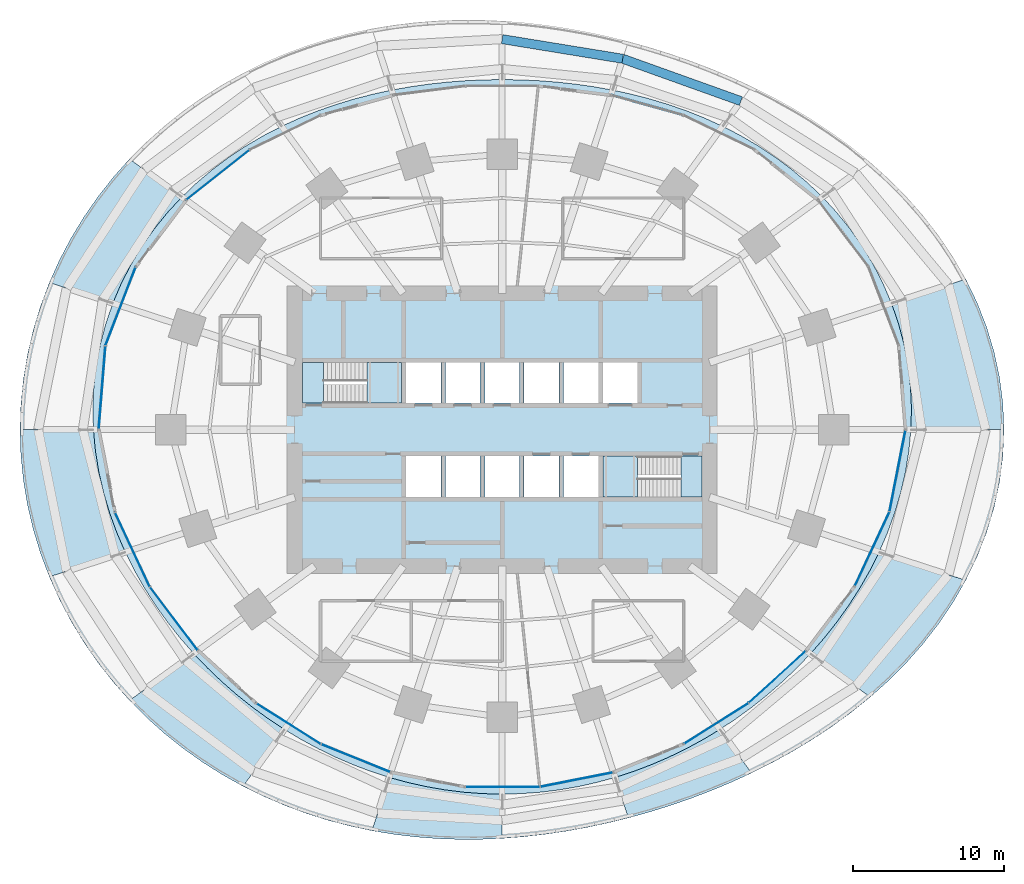
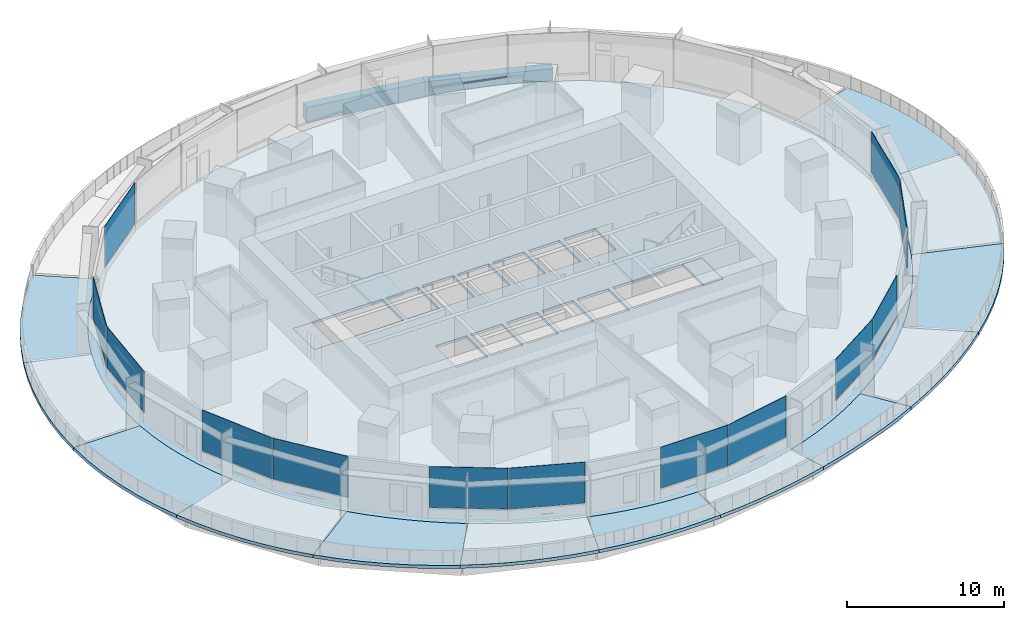
# One storey, part 10 of 20: 18 slabs, 13 plates, 2 beams, 1 member, 11 elements without a shape of their own.
"""IFC4 building model written with IfcOpenShell, lengths in metres."""

from ifc_helpers import new_model, si_unit, direction, frame, origin, origin_2d, place, context, subcontext, project, spatial, polyline, rectangle, outline, extrude, material, layer, layer_set, material_profile, profile_set, type_object, element, aggregate, save


model = new_model("IFC4")

# Units and contexts
model_context = context("Model", 3, precision=1e-05, world=origin(), true_north=direction((0.0, 1.0)))
body_context = subcontext(model_context, "Body", "Model", "MODEL_VIEW")
ifc_project = project(units=[si_unit("LENGTHUNIT", "METRE"), si_unit("AREAUNIT", "SQUARE_METRE"), si_unit("VOLUMEUNIT", "CUBIC_METRE"), si_unit("PLANEANGLEUNIT", "RADIAN"), si_unit("MASSUNIT", "GRAM", prefix="KILO")], contexts=[model_context])

# Site, building, storey
site_placement = place(None, origin())
site = spatial("IfcSite", under=ifc_project, at=site_placement, CompositionType="ELEMENT")
building_placement = place(site_placement, origin())
building = spatial("IfcBuilding", under=site, at=building_placement, Name="Marramba Exchange Tower", CompositionType="ELEMENT")
storey_placement = place(building_placement, frame((0.0, 0.0, 19.60009765625)))
storey = spatial("IfcBuildingStorey", under=building, at=storey_placement, Name="L04", CompositionType="ELEMENT", Elevation=19.60009765625)

# Beams
ifc_material_1 = material(Name="Concrete N50", Category="concrete")
ifc_material_profile_1 = material_profile(ifc_material_1, rectangle(XDim=0.60009765625, YDim=1.199951171875, at=origin_2d()), Name="RC 600x1200")
ifc_profile_set_1 = profile_set([ifc_material_profile_1], Name="Concrete N50")
beam_type = type_object("IfcBeamType", Name="Edge beam RC 600x1200 N50", PredefinedType="SPANDREL", material=ifc_profile_set_1)
beam_1_placement = place(storey_placement, frame((15.769775390625, 21.705078125, -0.85009765625), z_axis=(-0.941347695699, 0.337438165895, 0.0), x_axis=(-0.337438165895, -0.941347695699, 0.0)))
element("IfcBeam", 1, at=beam_1_placement, inside=storey, type_object=beam_type, Name="Edge beam L04 P3C04", PredefinedType="SPANDREL", context=body_context, shape_type="SweptSolid", body=[
    extrude(rectangle(XDim=0.60009765625, YDim=1.199951171875, at=origin_2d()), origin(), (0.0, 0.0, 1.0), 8.29443359375),
])
beam_2_placement = place(storey_placement, frame((7.9619140625, 24.50390625, -0.85009765625), z_axis=(-0.987006935066, 0.160677659091, 0.0), x_axis=(-0.160677659091, -0.987006935066, 0.0)))
element("IfcBeam", 2, at=beam_2_placement, inside=storey, type_object=beam_type, Name="Edge beam L04 P3C05", PredefinedType="SPANDREL", context=body_context, shape_type="SweptSolid", body=[
    extrude(rectangle(XDim=0.60009765625, YDim=1.199951171875, at=origin_2d()), origin(), (0.0, 0.0, 1.0), 8.066650390625),
])

# Curtain wall, member
ifc_material_2 = material(Name="Aluminium framing, bronze anodised", Category="aluminium")
curtain_wall_type = type_object("IfcCurtainWallType", Name="Trading floor ribbon curtain wall", PredefinedType="USERDEFINED", material=ifc_material_2)
curtain_wall_1_placement = place(storey_placement, origin())
curtain_wall_1 = element("IfcCurtainWall", 3, at=curtain_wall_1_placement, inside=storey, type_object=curtain_wall_type, Name="Curtain wall CW3 L04 F06", ObjectType="RIBBON CURTAIN WALL", PredefinedType="USERDEFINED")
ifc_material_3 = material(Name="Aluminium transom, bronze anodised", Category="aluminium")
ifc_material_profile_2 = material_profile(ifc_material_3, rectangle(XDim=0.06005859375, YDim=0.1201171875, at=origin_2d()), Name="CW3 transom 60x120")
ifc_profile_set_2 = profile_set([ifc_material_profile_2], Name="Aluminium transom, bronze anodised")
member_type = type_object("IfcMemberType", Name="Trading floor ribbon curtain wall transom", PredefinedType="USERDEFINED", material=ifc_profile_set_2)
member_placement = place(storey_placement, frame((11.931396484375, 20.7822265625, 0.829833984375), z_axis=(-0.963474085671, 0.267801579981, 0.0), x_axis=(-0.267801579981, -0.963474085671, 0.0)))
member = element("IfcMember", 4, at=member_placement, type_object=member_type, Name="CW3 sill transom", ObjectType="TRANSOM", PredefinedType="USERDEFINED", context=body_context, shape_type="SweptSolid", body=[
    extrude(rectangle(XDim=0.06005859375, YDim=0.1201171875, at=origin_2d()), origin(), (0.0, 0.0, 1.0), 4.8701171875),
])
aggregate(curtain_wall_1, [member])

# Slabs
ifc_material_4 = material(Name="Concrete N40", Category="concrete")
ifc_layer_1 = layer(ifc_material_4, 0.199951171875)
ifc_layer_set_1 = layer_set([ifc_layer_1], Name="Floor slab 200")
slab_type_1 = type_object("IfcSlabType", Name="Floor slab 200", PredefinedType="FLOOR", material=ifc_layer_set_1)
slab_1_placement = place(storey_placement, frame((0.0, 0.0, -0.2001953125)))
element("IfcSlab", 5, at=slab_1_placement, inside=storey, type_object=slab_type_1, Name="Floor slab L04", PredefinedType="FLOOR", context=body_context, shape_type="SweptSolid", body=[
    extrude(outline(polyline([(27.0, 0.0), (27.035888671875, 1.4169921875), (26.97265625, 2.8349609375), (26.80859375, 4.24609375), (26.5439453125, 5.64208984375), (26.179443359375, 7.0146484375), (25.717529296875, 8.356201171875), (25.16162109375, 9.65869140625), (24.516357421875, 10.915283203125), (23.786865234375, 12.1201171875), (22.9794921875, 13.267333984375), (22.10107421875, 14.3525390625), (21.158447265625, 15.37255859375), (20.159423828125, 16.32470703125), (19.11083984375, 17.20751953125), (18.020263671875, 18.020263671875), (16.89453125, 18.763427734375), (15.740478515625, 19.437744140625), (14.563720703125, 20.04541015625), (13.3701171875, 20.588134765625), (12.164306640625, 21.069091796875), (10.9501953125, 21.4912109375), (9.7314453125, 21.857421875), (8.5107421875, 22.1708984375), (7.289794921875, 22.435302734375), (6.06982421875, 22.6533203125), (4.85205078125, 22.827392578125), (3.636474609375, 22.96044921875), (2.423095703125, 23.053955078125), (1.211181640625, 23.109619140625), (0.0, 23.1279296875), (-1.211181640625, 23.109619140625), (-2.423095703125, 23.053955078125), (-3.636474609375, 22.96044921875), (-4.85205078125, 22.827392578125), (-6.06982421875, 22.6533203125), (-7.289794921875, 22.435302734375), (-8.5107421875, 22.1708984375), (-9.7314453125, 21.857421875), (-10.9501953125, 21.4912109375), (-12.164306640625, 21.069091796875), (-13.3701171875, 20.588134765625), (-14.563720703125, 20.04541015625), (-15.740478515625, 19.437744140625), (-16.89453125, 18.763427734375), (-18.020263671875, 18.020263671875), (-19.11083984375, 17.20751953125), (-20.159423828125, 16.32470703125), (-21.158447265625, 15.37255859375), (-22.10107421875, 14.3525390625), (-22.9794921875, 13.267333984375), (-23.786865234375, 12.1201171875), (-24.516357421875, 10.915283203125), (-25.16162109375, 9.65869140625), (-25.717529296875, 8.356201171875), (-26.179443359375, 7.0146484375), (-26.5439453125, 5.64208984375), (-26.80859375, 4.24609375), (-26.97265625, 2.8349609375), (-27.035888671875, 1.4169921875), (-27.0, 0.0), (-26.8671875, -1.407958984375), (-26.64111328125, -2.800048828125), (-26.326171875, -4.169677734375), (-25.927001953125, -5.510986328125), (-25.44921875, -6.819091796875), (-24.8984375, -8.090087890625), (-24.280517578125, -9.320556640625), (-23.60107421875, -10.5078125), (-22.865234375, -11.650390625), (-22.078369140625, -12.7470703125), (-21.244873046875, -13.796630859375), (-20.36865234375, -14.798583984375), (-19.453369140625, -15.753173828125), (-18.502197265625, -16.659423828125), (-17.517578125, -17.517578125), (-16.501953125, -18.327392578125), (-15.457275390625, -19.088134765625), (-14.385009765625, -19.799072265625), (-13.286865234375, -20.459716796875), (-12.164306640625, -21.069091796875), (-11.01904296875, -21.6259765625), (-9.8525390625, -22.129150390625), (-8.66650390625, -22.577392578125), (-7.463134765625, -22.968994140625), (-6.244140625, -23.30322265625), (-5.01171875, -23.578369140625), (-3.7685546875, -23.793701171875), (-2.51708984375, -23.947998046875), (-1.260009765625, -24.041015625), (0.0, -24.072021484375), (1.260009765625, -24.041015625), (2.51708984375, -23.947998046875), (3.7685546875, -23.793701171875), (5.01171875, -23.578369140625), (6.244140625, -23.30322265625), (7.463134765625, -22.968994140625), (8.66650390625, -22.577392578125), (9.8525390625, -22.129150390625), (11.01904296875, -21.6259765625), (12.164306640625, -21.069091796875), (13.286865234375, -20.459716796875), (14.385009765625, -19.799072265625), (15.457275390625, -19.088134765625), (16.501953125, -18.327392578125), (17.517578125, -17.517578125), (18.502197265625, -16.659423828125), (19.453369140625, -15.753173828125), (20.36865234375, -14.798583984375), (21.244873046875, -13.796630859375), (22.078369140625, -12.7470703125), (22.865234375, -11.650390625), (23.60107421875, -10.5078125), (24.280517578125, -9.320556640625), (24.8984375, -8.090087890625), (25.44921875, -6.819091796875), (25.927001953125, -5.510986328125), (26.326171875, -4.169677734375), (26.64111328125, -2.800048828125), (26.8671875, -1.407958984375), (27.0, 0.0)]), holes=[polyline([(-6.35009765625, 1.75), (-4.050048828125, 1.75), (-4.050048828125, 4.449951171875), (-6.35009765625, 4.449951171875), (-6.35009765625, 1.75)]), polyline([(-3.75, 1.75), (-1.449951171875, 1.75), (-1.449951171875, 4.449951171875), (-3.75, 4.449951171875), (-3.75, 1.75)]), polyline([(-1.14990234375, 1.75), (1.14990234375, 1.75), (1.14990234375, 4.449951171875), (-1.14990234375, 4.449951171875), (-1.14990234375, 1.75)]), polyline([(1.449951171875, 1.75), (3.75, 1.75), (3.75, 4.449951171875), (1.449951171875, 4.449951171875), (1.449951171875, 1.75)]), polyline([(4.050048828125, 1.75), (6.35009765625, 1.75), (6.35009765625, 4.449951171875), (4.050048828125, 4.449951171875), (4.050048828125, 1.75)]), polyline([(-6.35009765625, -4.449951171875), (-4.050048828125, -4.449951171875), (-4.050048828125, -1.75), (-6.35009765625, -1.75), (-6.35009765625, -4.449951171875)]), polyline([(-3.75, -4.449951171875), (-1.449951171875, -4.449951171875), (-1.449951171875, -1.75), (-3.75, -1.75), (-3.75, -4.449951171875)]), polyline([(-1.14990234375, -4.449951171875), (1.14990234375, -4.449951171875), (1.14990234375, -1.75), (-1.14990234375, -1.75), (-1.14990234375, -4.449951171875)]), polyline([(1.449951171875, -4.449951171875), (3.75, -4.449951171875), (3.75, -1.75), (1.449951171875, -1.75), (1.449951171875, -4.449951171875)]), polyline([(4.050048828125, -4.449951171875), (6.35009765625, -4.449951171875), (6.35009765625, -1.75), (4.050048828125, -1.75), (4.050048828125, -4.449951171875)]), polyline([(6.64990234375, 1.75), (8.949951171875, 1.75), (8.949951171875, 4.449951171875), (6.64990234375, 4.449951171875), (6.64990234375, 1.75)]), polyline([(-13.199951171875, 1.75), (-6.64990234375, 1.75), (-6.64990234375, 4.449951171875), (-13.199951171875, 4.449951171875), (-13.199951171875, 1.75)]), polyline([(6.64990234375, -4.449951171875), (13.199951171875, -4.449951171875), (13.199951171875, -1.75), (6.64990234375, -1.75), (6.64990234375, -4.449951171875)])]), origin(), (0.0, 0.0, 1.0), 0.2001953125),
])
ifc_layer_2 = layer(ifc_material_4, 0.25)
ifc_layer_set_2 = layer_set([ifc_layer_2], Name="Planted roof slab 250")
slab_type_2 = type_object("IfcSlabType", Name="Planted roof slab 250", PredefinedType="ROOF", material=ifc_layer_set_2)
slab_2_placement = place(storey_placement, frame((0.0, 0.0, -0.25)))
element("IfcSlab", 6, at=slab_2_placement, inside=storey, type_object=slab_type_2, Name="Planted roof slab L04 bay 10", PredefinedType="ROOF", context=body_context, shape_type="SweptSolid", body=[
    extrude(outline(polyline([(-31.794921875, 1.666259765625), (-31.629638671875, 3.324462890625), (-31.356201171875, 4.96630859375), (-30.976318359375, 6.584228515625), (-30.49365234375, 8.170654296875), (-29.91162109375, 9.71875), (-25.717529296875, 8.356201171875), (-26.179443359375, 7.0146484375), (-26.5439453125, 5.64208984375), (-26.80859375, 4.24609375), (-26.97265625, 2.8349609375), (-27.035888671875, 1.4169921875), (-27.0, 0.0), (-31.85009765625, 0.0), (-31.794921875, 1.666259765625)])), origin(), (0.0, 0.0, 1.0), 0.25),
])
slab_3_placement = place(storey_placement, frame((0.0, 0.0, -0.25)))
element("IfcSlab", 7, at=slab_3_placement, inside=storey, type_object=slab_type_2, Name="Planted roof slab L04 bay 12", PredefinedType="ROOF", context=body_context, shape_type="SweptSolid", body=[
    extrude(outline(polyline([(-25.685302734375, -16.68017578125), (-26.68798828125, -15.408447265625), (-27.61767578125, -14.072021484375), (-28.468505859375, -12.675048828125), (-29.23486328125, -11.22216796875), (-29.91162109375, -9.71875), (-24.8984375, -8.090087890625), (-24.280517578125, -9.320556640625), (-23.60107421875, -10.5078125), (-22.865234375, -11.650390625), (-22.078369140625, -12.7470703125), (-21.244873046875, -13.796630859375), (-20.36865234375, -14.798583984375), (-24.615478515625, -17.88427734375), (-25.685302734375, -16.68017578125)])), origin(), (0.0, 0.0, 1.0), 0.25),
])
slab_4_placement = place(storey_placement, frame((0.0, 0.0, -0.25)))
element("IfcSlab", 8, at=slab_4_placement, inside=storey, type_object=slab_type_2, Name="Planted roof slab L04 bay 14", PredefinedType="ROOF", context=body_context, shape_type="SweptSolid", body=[
    extrude(outline(polyline([(-8.606689453125, -26.48876953125), (-10.05029296875, -26.18212890625), (-11.489013671875, -25.804931640625), (-12.919189453125, -25.355224609375), (-14.33642578125, -24.831298828125), (-15.736328125, -24.231689453125), (-17.114013671875, -23.555419921875), (-14.385009765625, -19.799072265625), (-13.286865234375, -20.459716796875), (-12.164306640625, -21.069091796875), (-11.01904296875, -21.6259765625), (-9.8525390625, -22.129150390625), (-8.66650390625, -22.577392578125), (-7.463134765625, -22.968994140625), (-8.606689453125, -26.48876953125)])), origin(), (0.0, 0.0, 1.0), 0.25),
])
slab_5_placement = place(storey_placement, frame((0.0, 0.0, -0.25)))
element("IfcSlab", 9, at=slab_5_placement, inside=storey, type_object=slab_type_2, Name="Planted roof slab L04 bay 16", PredefinedType="ROOF", context=body_context, shape_type="SweptSolid", body=[
    extrude(outline(polyline([(6.9619140625, -25.982177734375), (5.585205078125, -26.276123046875), (4.201416015625, -26.526123046875), (2.8095703125, -26.7314453125), (1.4091796875, -26.89013671875), (0.0, -27.0), (0.0, -24.072021484375), (1.260009765625, -24.041015625), (2.51708984375, -23.947998046875), (3.7685546875, -23.793701171875), (5.01171875, -23.578369140625), (6.244140625, -23.30322265625), (7.463134765625, -22.968994140625), (8.332763671875, -25.645263671875), (6.9619140625, -25.982177734375)])), origin(), (0.0, 0.0, 1.0), 0.25),
])
slab_6_placement = place(storey_placement, frame((0.0, 0.0, -0.25)))
element("IfcSlab", 10, at=slab_6_placement, inside=storey, type_object=slab_type_2, Name="Planted roof slab L04 bay 18", PredefinedType="ROOF", context=body_context, shape_type="SweptSolid", body=[
    extrude(outline(polyline([(23.061767578125, -18.675048828125), (21.77978515625, -19.610595703125), (20.474365234375, -20.474365234375), (19.152099609375, -21.2705078125), (17.81787109375, -22.003173828125), (16.47509765625, -22.676025390625), (14.385009765625, -19.799072265625), (15.457275390625, -19.088134765625), (16.501953125, -18.327392578125), (17.517578125, -17.517578125), (18.502197265625, -16.659423828125), (19.453369140625, -15.753173828125), (20.36865234375, -14.798583984375), (24.31298828125, -17.66455078125), (23.061767578125, -18.675048828125)])), origin(), (0.0, 0.0, 1.0), 0.25),
])
slab_7_placement = place(storey_placement, frame((0.0, 0.0, -0.25)))
element("IfcSlab", 11, at=slab_7_placement, inside=storey, type_object=slab_type_2, Name="Planted roof slab L04 bay 20", PredefinedType="ROOF", context=body_context, shape_type="SweptSolid", body=[
    extrude(outline(polyline([(33.076171875, -1.7333984375), (32.856201171875, -3.453369140625), (32.493896484375, -5.146484375), (31.9951171875, -6.80078125), (31.368408203125, -8.405029296875), (30.623291015625, -9.9501953125), (24.8984375, -8.090087890625), (25.44921875, -6.819091796875), (25.927001953125, -5.510986328125), (26.326171875, -4.169677734375), (26.64111328125, -2.800048828125), (26.8671875, -1.407958984375), (27.0, 0.0), (33.14990234375, 0.0), (33.076171875, -1.7333984375)])), origin(), (0.0, 0.0, 1.0), 0.25),
])

# Stair, slabs
ifc_material_5 = material(Name="Concrete N40 (40 MPa)", Category="concrete")
stair_type_1 = type_object("IfcStairType", Name="Exit stair ST1 4200 x 1250", PredefinedType="HALF_TURN_STAIR", material=ifc_material_5)
stair_1_placement = place(storey_placement, origin())
stair_1 = element("IfcStair", 12, at=stair_1_placement, inside=storey, type_object=stair_type_1, Name="Exit stair ST1 L04", PredefinedType="HALF_TURN_STAIR")
ifc_layer_3 = layer(ifc_material_5, 0.199951171875)
ifc_layer_set_3 = layer_set([ifc_layer_3], Name="Stair landing 200")
slab_type_3 = type_object("IfcSlabType", Name="Stair landing 200", PredefinedType="LANDING", material=ifc_layer_set_3)
slab_8_placement = place(storey_placement, frame((0.0, 0.0, -0.2001953125)))
slab_8 = element("IfcSlab", 13, at=slab_8_placement, type_object=slab_type_3, Name="ST1 landing 1", PredefinedType="LANDING", context=body_context, shape_type="SweptSolid", body=[
    extrude(outline(polyline([(-13.199951171875, 1.75), (-11.800048828125, 1.75), (-11.800048828125, 4.449951171875), (-13.199951171875, 4.449951171875), (-13.199951171875, 1.75)])), origin(), (0.0, 0.0, 1.0), 0.2001953125),
])
slab_9_placement = place(storey_placement, frame((0.0, 0.0, 1.89990234375)))
slab_9 = element("IfcSlab", 14, at=slab_9_placement, type_object=slab_type_3, Name="ST1 landing 2", PredefinedType="LANDING", context=body_context, shape_type="SweptSolid", body=[
    extrude(outline(polyline([(-8.93994140625, 1.75), (-6.64990234375, 1.75), (-6.64990234375, 4.449951171875), (-8.93994140625, 4.449951171875), (-8.93994140625, 1.75)])), origin(), (0.0, 0.0, 1.0), 0.199951171875),
])
aggregate(stair_1, [slab_8, slab_9])

stair_type_2 = type_object("IfcStairType", Name="Exit stair ST2 4200 x 1250", PredefinedType="HALF_TURN_STAIR", material=ifc_material_5)
stair_2_placement = place(storey_placement, origin())
stair_2 = element("IfcStair", 15, at=stair_2_placement, inside=storey, type_object=stair_type_2, Name="Exit stair ST2 L04", PredefinedType="HALF_TURN_STAIR")
slab_10_placement = place(storey_placement, frame((0.0, 0.0, -0.2001953125)))
slab_10 = element("IfcSlab", 16, at=slab_10_placement, type_object=slab_type_3, Name="ST2 landing 1", PredefinedType="LANDING", context=body_context, shape_type="SweptSolid", body=[
    extrude(outline(polyline([(11.800048828125, -4.449951171875), (13.199951171875, -4.449951171875), (13.199951171875, -1.75), (11.800048828125, -1.75), (11.800048828125, -4.449951171875)])), origin(), (0.0, 0.0, 1.0), 0.2001953125),
])
slab_11_placement = place(storey_placement, frame((0.0, 0.0, 1.89990234375)))
slab_11 = element("IfcSlab", 17, at=slab_11_placement, type_object=slab_type_3, Name="ST2 landing 2", PredefinedType="LANDING", context=body_context, shape_type="SweptSolid", body=[
    extrude(outline(polyline([(6.64990234375, -4.449951171875), (8.93994140625, -4.449951171875), (8.93994140625, -1.75), (6.64990234375, -1.75), (6.64990234375, -4.449951171875)])), origin(), (0.0, 0.0, 1.0), 0.199951171875),
])
aggregate(stair_2, [slab_10, slab_11])

# Slabs
ifc_layer_4 = layer(ifc_material_4, 0.25)
ifc_layer_set_4 = layer_set([ifc_layer_4], Name="Terrace slab 250")
slab_type_4 = type_object("IfcSlabType", Name="Terrace slab 250", PredefinedType="FLOOR", material=ifc_layer_set_4)
slab_12_placement = place(storey_placement, frame((0.0, 0.0, -0.25)))
element("IfcSlab", 18, at=slab_12_placement, inside=storey, type_object=slab_type_4, Name="Terrace slab L04 bay 01", PredefinedType="FLOOR", context=body_context, shape_type="SweptSolid", body=[
    extrude(outline(polyline([(31.368408203125, 8.405029296875), (31.9951171875, 6.80078125), (32.493896484375, 5.146484375), (32.856201171875, 3.453369140625), (33.076171875, 1.7333984375), (33.14990234375, 0.0), (27.0, 0.0), (27.035888671875, 1.4169921875), (26.97265625, 2.8349609375), (26.80859375, 4.24609375), (26.5439453125, 5.64208984375), (26.179443359375, 7.0146484375), (25.717529296875, 8.356201171875), (30.623291015625, 9.9501953125), (31.368408203125, 8.405029296875)])), origin(), (0.0, 0.0, 1.0), 0.25),
])
slab_13_placement = place(storey_placement, frame((0.0, 0.0, -0.25)))
element("IfcSlab", 19, at=slab_13_placement, inside=storey, type_object=slab_type_4, Name="Terrace slab L04 bay 09", PredefinedType="FLOOR", context=body_context, shape_type="SweptSolid", body=[
    extrude(outline(polyline([(-29.91162109375, 9.71875), (-29.23486328125, 11.22216796875), (-28.468505859375, 12.675048828125), (-27.61767578125, 14.072021484375), (-26.68798828125, 15.408447265625), (-25.685302734375, 16.68017578125), (-24.615478515625, 17.88427734375), (-21.158447265625, 15.37255859375), (-22.10107421875, 14.3525390625), (-22.9794921875, 13.267333984375), (-23.786865234375, 12.1201171875), (-24.516357421875, 10.915283203125), (-25.16162109375, 9.65869140625), (-25.717529296875, 8.356201171875), (-29.91162109375, 9.71875)])), origin(), (0.0, 0.0, 1.0), 0.25),
])
slab_14_placement = place(storey_placement, frame((0.0, 0.0, -0.25)))
element("IfcSlab", 20, at=slab_14_placement, inside=storey, type_object=slab_type_4, Name="Terrace slab L04 bay 11", PredefinedType="FLOOR", context=body_context, shape_type="SweptSolid", body=[
    extrude(outline(polyline([(-30.49365234375, -8.170654296875), (-30.976318359375, -6.584228515625), (-31.356201171875, -4.96630859375), (-31.629638671875, -3.324462890625), (-31.794921875, -1.666259765625), (-31.85009765625, 0.0), (-27.0, 0.0), (-26.8671875, -1.407958984375), (-26.64111328125, -2.800048828125), (-26.326171875, -4.169677734375), (-25.927001953125, -5.510986328125), (-25.44921875, -6.819091796875), (-24.8984375, -8.090087890625), (-29.91162109375, -9.71875), (-30.49365234375, -8.170654296875)])), origin(), (0.0, 0.0, 1.0), 0.25),
])
slab_15_placement = place(storey_placement, frame((0.0, 0.0, -0.25)))
element("IfcSlab", 21, at=slab_15_placement, inside=storey, type_object=slab_type_4, Name="Terrace slab L04 bay 13", PredefinedType="FLOOR", context=body_context, shape_type="SweptSolid", body=[
    extrude(outline(polyline([(-18.46435546875, -22.801513671875), (-19.7822265625, -21.97021484375), (-21.061767578125, -21.061767578125), (-22.2978515625, -20.0771484375), (-23.484375, -19.017333984375), (-24.615478515625, -17.88427734375), (-20.36865234375, -14.798583984375), (-19.453369140625, -15.753173828125), (-18.502197265625, -16.659423828125), (-17.517578125, -17.517578125), (-16.501953125, -18.327392578125), (-15.457275390625, -19.088134765625), (-14.385009765625, -19.799072265625), (-17.114013671875, -23.555419921875), (-18.46435546875, -22.801513671875)])), origin(), (0.0, 0.0, 1.0), 0.25),
])
slab_16_placement = place(storey_placement, frame((0.0, 0.0, -0.25)))
element("IfcSlab", 22, at=slab_16_placement, inside=storey, type_object=slab_type_4, Name="Terrace slab L04 bay 15", PredefinedType="FLOOR", context=body_context, shape_type="SweptSolid", body=[
    extrude(outline(polyline([(-1.418212890625, -27.058837890625), (-2.844482421875, -27.06396484375), (-4.2783203125, -27.01220703125), (-5.718017578125, -26.901123046875), (-7.16162109375, -26.7275390625), (-8.606689453125, -26.48876953125), (-7.463134765625, -22.968994140625), (-6.244140625, -23.30322265625), (-5.01171875, -23.578369140625), (-3.7685546875, -23.793701171875), (-2.51708984375, -23.947998046875), (-1.260009765625, -24.041015625), (0.0, -24.072021484375), (0.0, -27.0), (-1.418212890625, -27.058837890625)])), origin(), (0.0, 0.0, 1.0), 0.25),
])
slab_17_placement = place(storey_placement, frame((0.0, 0.0, -0.25)))
element("IfcSlab", 23, at=slab_17_placement, inside=storey, type_object=slab_type_4, Name="Terrace slab L04 bay 17", PredefinedType="FLOOR", context=body_context, shape_type="SweptSolid", body=[
    extrude(outline(polyline([(16.47509765625, -22.676025390625), (15.126708984375, -23.29296875), (13.774169921875, -23.857666015625), (12.418701171875, -24.373046875), (11.06005859375, -24.841552734375), (9.698486328125, -25.26513671875), (8.332763671875, -25.645263671875), (7.463134765625, -22.968994140625), (8.66650390625, -22.577392578125), (9.8525390625, -22.129150390625), (11.01904296875, -21.6259765625), (12.164306640625, -21.069091796875), (13.286865234375, -20.459716796875), (14.385009765625, -19.799072265625), (16.47509765625, -22.676025390625)])), origin(), (0.0, 0.0, 1.0), 0.25),
])
slab_18_placement = place(storey_placement, frame((0.0, 0.0, -0.25)))
element("IfcSlab", 24, at=slab_18_placement, inside=storey, type_object=slab_type_4, Name="Terrace slab L04 bay 19", PredefinedType="FLOOR", context=body_context, shape_type="SweptSolid", body=[
    extrude(outline(polyline([(30.623291015625, -9.9501953125), (29.770751953125, -11.427978515625), (28.82275390625, -12.832763671875), (27.791015625, -14.16015625), (26.68798828125, -15.408447265625), (25.525146484375, -16.576171875), (24.31298828125, -17.66455078125), (20.36865234375, -14.798583984375), (21.244873046875, -13.796630859375), (22.078369140625, -12.7470703125), (22.865234375, -11.650390625), (23.60107421875, -10.5078125), (24.280517578125, -9.320556640625), (24.8984375, -8.090087890625), (30.623291015625, -9.9501953125)])), origin(), (0.0, 0.0, 1.0), 0.25),
])

# Curtain wall, plate
curtain_wall_2_placement = place(storey_placement, origin())
curtain_wall_2 = element("IfcCurtainWall", 25, at=curtain_wall_2_placement, inside=storey, type_object=curtain_wall_type, Name="Curtain wall CW3 L04 F11-F12", ObjectType="RIBBON CURTAIN WALL", PredefinedType="USERDEFINED")
ifc_material_6 = material(Name="Double glazed unit 10 + 12 + 8.76, bronze tinted", Category="glass")
ifc_layer_5 = layer(ifc_material_6, 0.03076171875)
ifc_layer_set_5 = layer_set([ifc_layer_5], Name="Trading floor ribbon curtain wall panel")
plate_type = type_object("IfcPlateType", Name="Trading floor ribbon curtain wall panel", PredefinedType="CURTAIN_PANEL", material=ifc_layer_set_5)
plate_1_placement = place(storey_placement, frame((-18.767822265625, 16.8349609375, 0.85986328125), z_axis=(0.0, 0.0, 1.0), x_axis=(-0.784087949432, -0.620649730166, 0.0)))
plate_1 = element("IfcPlate", 26, at=plate_1_placement, type_object=plate_type, Name="CW3 vision panel", PredefinedType="CURTAIN_PANEL", context=body_context, shape_type="SweptSolid", body=[
    extrude(rectangle(XDim=5.255615234375, YDim=0.03076171875, at=origin_2d()), origin(), (0.0, 0.0, 1.0), 3.179931640625),
])
aggregate(curtain_wall_2, [plate_1])

# Curtain wall, plates
curtain_wall_3_placement = place(storey_placement, origin())
curtain_wall_3 = element("IfcCurtainWall", 27, at=curtain_wall_3_placement, inside=storey, type_object=curtain_wall_type, Name="Curtain wall CW3 L04 F14-F15", ObjectType="RIBBON CURTAIN WALL", PredefinedType="USERDEFINED")
plate_2_placement = place(storey_placement, frame((-25.209716796875, 8.14306640625, 0.85986328125), z_axis=(0.0, 0.0, 1.0), x_axis=(-0.359525510698, -0.933135256626, 0.0)))
plate_2 = element("IfcPlate", 28, at=plate_2_placement, type_object=plate_type, Name="CW3 vision panel", PredefinedType="CURTAIN_PANEL", context=body_context, shape_type="SweptSolid", body=[
    extrude(rectangle(XDim=5.5166015625, YDim=0.03076171875, at=origin_2d()), origin(), (0.0, 0.0, 1.0), 3.179931640625),
])
plate_3_placement = place(storey_placement, frame((-26.42578125, 2.78466796875, 0.85986328125), z_axis=(0.0, 0.0, 1.0), x_axis=(-0.080275225953, -0.996772736434, 0.0)))
plate_3 = element("IfcPlate", 29, at=plate_3_placement, type_object=plate_type, Name="CW3 vision panel", PredefinedType="CURTAIN_PANEL", context=body_context, shape_type="SweptSolid", body=[
    extrude(rectangle(XDim=5.46728515625, YDim=0.03076171875, at=origin_2d()), origin(), (0.0, 0.0, 1.0), 3.179931640625),
])
aggregate(curtain_wall_3, [plate_2, plate_3])

curtain_wall_4_placement = place(storey_placement, origin())
curtain_wall_4 = element("IfcCurtainWall", 30, at=curtain_wall_4_placement, inside=storey, type_object=curtain_wall_type, Name="Curtain wall CW3 L04 F17-F18", ObjectType="RIBBON CURTAIN WALL", PredefinedType="USERDEFINED")
plate_4_placement = place(storey_placement, frame((-24.420166015625, -7.928955078125, 0.85986328125), z_axis=(0.0, 0.0, 1.0), x_axis=(0.423477206492, -0.905906758768, 0.0)))
plate_4 = element("IfcPlate", 31, at=plate_4_placement, type_object=plate_type, Name="CW3 vision panel", PredefinedType="CURTAIN_PANEL", context=body_context, shape_type="SweptSolid", body=[
    extrude(rectangle(XDim=5.379150390625, YDim=0.03076171875, at=origin_2d()), origin(), (0.0, 0.0, 1.0), 3.179931640625),
])
plate_5_placement = place(storey_placement, frame((-21.683349609375, -12.479248046875, 0.85986328125), z_axis=(0.0, 0.0, 1.0), x_axis=(0.603040473588, -0.797710591138, 0.0)))
plate_5 = element("IfcPlate", 32, at=plate_5_placement, type_object=plate_type, Name="CW3 vision panel", PredefinedType="CURTAIN_PANEL", context=body_context, shape_type="SweptSolid", body=[
    extrude(rectangle(XDim=5.179443359375, YDim=0.03076171875, at=origin_2d()), origin(), (0.0, 0.0, 1.0), 3.179931640625),
])
aggregate(curtain_wall_4, [plate_4, plate_5])

# Curtain wall, plate
curtain_wall_5_placement = place(storey_placement, origin())
curtain_wall_5 = element("IfcCurtainWall", 33, at=curtain_wall_5_placement, inside=storey, type_object=curtain_wall_type, Name="Curtain wall CW3 L04 F20", ObjectType="RIBBON CURTAIN WALL", PredefinedType="USERDEFINED")
plate_6_placement = place(storey_placement, frame((-14.103271484375, -19.4326171875, 0.85986328125), z_axis=(0.0, 0.0, 1.0), x_axis=(0.845790826298, -0.533514646612, 0.0)))
plate_6 = element("IfcPlate", 34, at=plate_6_placement, type_object=plate_type, Name="CW3 vision panel", PredefinedType="CURTAIN_PANEL", context=body_context, shape_type="SweptSolid", body=[
    extrude(rectangle(XDim=4.99853515625, YDim=0.03076171875, at=origin_2d()), origin(), (0.0, 0.0, 1.0), 3.179931640625),
])
aggregate(curtain_wall_5, [plate_6])

curtain_wall_6_placement = place(storey_placement, origin())
curtain_wall_6 = element("IfcCurtainWall", 35, at=curtain_wall_6_placement, inside=storey, type_object=curtain_wall_type, Name="Curtain wall CW3 L04 F21", ObjectType="RIBBON CURTAIN WALL", PredefinedType="USERDEFINED")
plate_7_placement = place(storey_placement, frame((-9.672119140625, -21.701171875, 0.85986328125), z_axis=(0.0, 0.0, 1.0), x_axis=(0.927340673283, -0.374218219325, 0.0)))
plate_7 = element("IfcPlate", 36, at=plate_7_placement, type_object=plate_type, Name="CW3 vision panel", PredefinedType="CURTAIN_PANEL", context=body_context, shape_type="SweptSolid", body=[
    extrude(rectangle(XDim=4.87744140625, YDim=0.03076171875, at=origin_2d()), origin(), (0.0, 0.0, 1.0), 3.179931640625),
])
aggregate(curtain_wall_6, [plate_7])

# Curtain wall, plates
curtain_wall_7_placement = place(storey_placement, origin())
curtain_wall_7 = element("IfcCurtainWall", 37, at=curtain_wall_7_placement, inside=storey, type_object=curtain_wall_type, Name="Curtain wall CW3 L04 F23-F24", ObjectType="RIBBON CURTAIN WALL", PredefinedType="USERDEFINED")
plate_8_placement = place(storey_placement, frame((0.030029296875, -23.599853515625, 0.85986328125), z_axis=(0.0, 0.0, 1.0), x_axis=(1.0, 0.0, 0.0)))
plate_8 = element("IfcPlate", 38, at=plate_8_placement, type_object=plate_type, Name="CW3 vision panel", PredefinedType="CURTAIN_PANEL", context=body_context, shape_type="SweptSolid", body=[
    extrude(rectangle(XDim=4.90087890625, YDim=0.03076171875, at=origin_2d()), origin(), (0.0, 0.0, 1.0), 3.179931640625),
])
plate_9_placement = place(storey_placement, frame((4.917724609375, -23.1181640625, 0.85986328125), z_axis=(0.0, 0.0, 1.0), x_axis=(0.98100920064, 0.193961202977, 0.0)))
plate_9 = element("IfcPlate", 39, at=plate_9_placement, type_object=plate_type, Name="CW3 vision panel", PredefinedType="CURTAIN_PANEL", context=body_context, shape_type="SweptSolid", body=[
    extrude(rectangle(XDim=4.848876953125, YDim=0.03076171875, at=origin_2d()), origin(), (0.0, 0.0, 1.0), 3.179931640625),
])
aggregate(curtain_wall_7, [plate_8, plate_9])

curtain_wall_8_placement = place(storey_placement, origin())
curtain_wall_8 = element("IfcCurtainWall", 40, at=curtain_wall_8_placement, inside=storey, type_object=curtain_wall_type, Name="Curtain wall CW3 L04 F26-F27", ObjectType="RIBBON CURTAIN WALL", PredefinedType="USERDEFINED")
plate_10_placement = place(storey_placement, frame((14.15380859375, -19.400634765625, 0.85986328125), z_axis=(0.0, 0.0, 1.0), x_axis=(0.845790826298, 0.533514646612, 0.0)))
plate_10 = element("IfcPlate", 41, at=plate_10_placement, type_object=plate_type, Name="CW3 vision panel", PredefinedType="CURTAIN_PANEL", context=body_context, shape_type="SweptSolid", body=[
    extrude(rectangle(XDim=4.99853515625, YDim=0.03076171875, at=origin_2d()), origin(), (0.0, 0.0, 1.0), 3.179931640625),
])
plate_11_placement = place(storey_placement, frame((18.1767578125, -16.330078125, 0.85986328125), z_axis=(0.0, 0.0, 1.0), x_axis=(0.739589581463, 0.673058133441, 0.0)))
plate_11 = element("IfcPlate", 42, at=plate_11_placement, type_object=plate_type, Name="CW3 vision panel", PredefinedType="CURTAIN_PANEL", context=body_context, shape_type="SweptSolid", body=[
    extrude(rectangle(XDim=5.0419921875, YDim=0.03076171875, at=origin_2d()), origin(), (0.0, 0.0, 1.0), 3.179931640625),
])
aggregate(curtain_wall_8, [plate_10, plate_11])

curtain_wall_9_placement = place(storey_placement, origin())
curtain_wall_9 = element("IfcCurtainWall", 43, at=curtain_wall_9_placement, inside=storey, type_object=curtain_wall_type, Name="Curtain wall CW3 L04 F29-F30", ObjectType="RIBBON CURTAIN WALL", PredefinedType="USERDEFINED")
plate_12_placement = place(storey_placement, frame((24.44580078125, -7.874755859375, 0.85986328125), z_axis=(0.0, 0.0, 1.0), x_axis=(0.423477206492, 0.905906758768, 0.0)))
plate_12 = element("IfcPlate", 44, at=plate_12_placement, type_object=plate_type, Name="CW3 vision panel", PredefinedType="CURTAIN_PANEL", context=body_context, shape_type="SweptSolid", body=[
    extrude(rectangle(XDim=5.379150390625, YDim=0.03076171875, at=origin_2d()), origin(), (0.0, 0.0, 1.0), 3.179931640625),
])
plate_13_placement = place(storey_placement, frame((26.117431640625, -2.718994140625, 0.85986328125), z_axis=(0.0, 0.0, 1.0), x_axis=(0.1922485756, 0.981346261612, 0.0)))
plate_13 = element("IfcPlate", 45, at=plate_13_placement, type_object=plate_type, Name="CW3 vision panel", PredefinedType="CURTAIN_PANEL", context=body_context, shape_type="SweptSolid", body=[
    extrude(rectangle(XDim=5.421630859375, YDim=0.03076171875, at=origin_2d()), origin(), (0.0, 0.0, 1.0), 3.179931640625),
])
aggregate(curtain_wall_9, [plate_12, plate_13])

save(model, "model.ifc")
